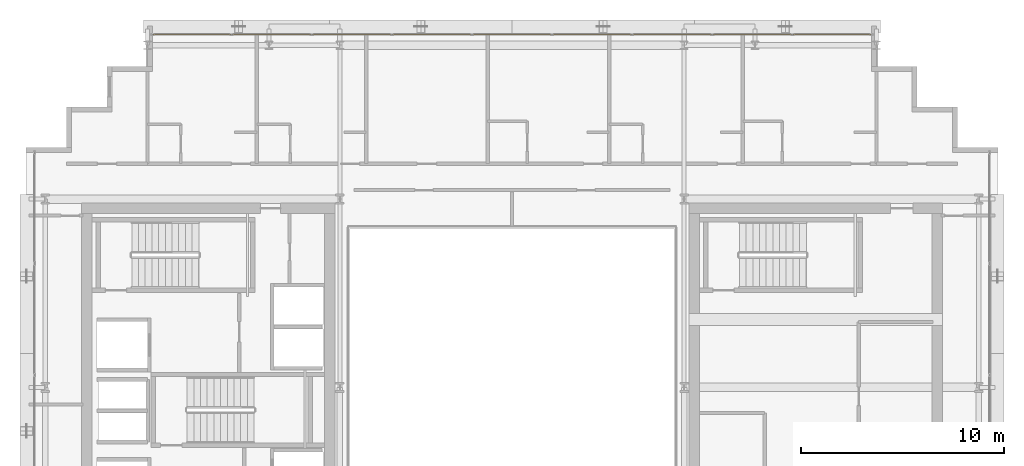
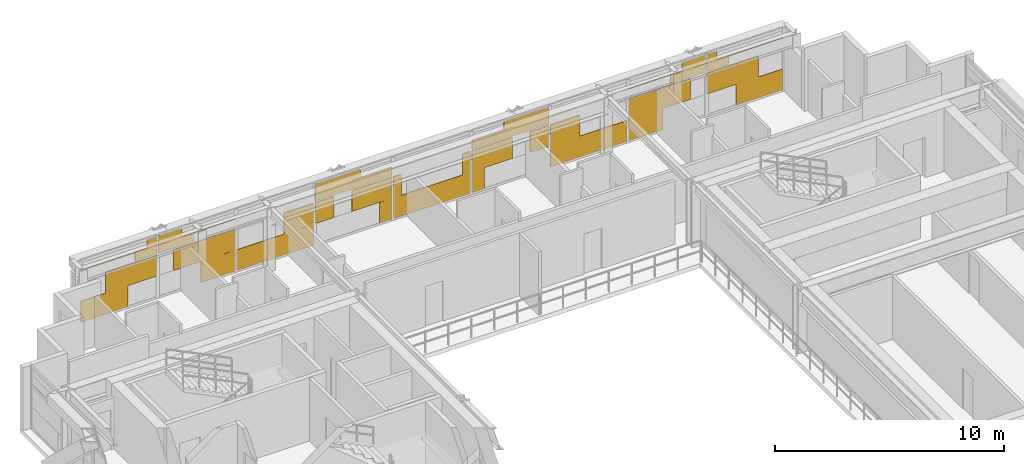
# One storey, part 31 of 31: 1 covering.
"""IFC4 building model written with IfcOpenShell, lengths in metres."""

from ifc_helpers import new_model, si_unit, direction, frame, origin, origin_2d, place, context, subcontext, project, spatial, rectangle, extrude, material, layer, layer_set, type_object, element, save


model = new_model("IFC4")

# Units and contexts
model_context = context("Model", 3, precision=1e-05, world=origin(), true_north=direction((0.0, 1.0)))
body_context = subcontext(model_context, "Body", "Model", "MODEL_VIEW")
ifc_project = project(units=[si_unit("LENGTHUNIT", "METRE"), si_unit("AREAUNIT", "SQUARE_METRE"), si_unit("VOLUMEUNIT", "CUBIC_METRE"), si_unit("PLANEANGLEUNIT", "RADIAN"), si_unit("MASSUNIT", "GRAM", prefix="KILO")], contexts=[model_context])

# Site, building, storey
site_placement = place(None, origin())
site = spatial("IfcSite", under=ifc_project, at=site_placement, CompositionType="ELEMENT")
building_placement = place(site_placement, origin())
building = spatial("IfcBuilding", under=site, at=building_placement, Name="Ocotamira Hotel", CompositionType="ELEMENT")
storey_placement = place(building_placement, frame((0.0, 0.0, 202.800048828125)))
storey = spatial("IfcBuildingStorey", under=building, at=storey_placement, Name="L51", CompositionType="ELEMENT", Elevation=202.800048828125)

# Covering
ifc_material = material(Name="Insulated pale-metal aluminium spandrel panel", Category="aluminium")
ifc_layer = layer(ifc_material, 0.044921875)
ifc_layer_set = layer_set([ifc_layer], Name="Insulated pale-metal aluminium spandrel panel")
covering_type = type_object("IfcCoveringType", Name="COV-INFILL-45", PredefinedType="CLADDING", material=ifc_layer_set)
covering_placement = place(storey_placement, origin())
element("IfcCovering", 1, at=covering_placement, inside=storey, type_object=covering_type, Name="L51 Curtain Wall Infill CW-4 CW-L51-N", PredefinedType="CLADDING", context=body_context, shape_type="SweptSolid", body=[
    extrude(rectangle(XDim=2.37158203125, YDim=0.044921875, at=origin_2d()), frame((15.46630859375, 45.580078125, 0.0751953125), z_axis=(0.0, 0.0, 1.0), x_axis=(1.0, 0.0, 0.0)), (0.0, 0.0, 1.0), 1.117919921875),
    extrude(rectangle(XDim=2.58251953125, YDim=0.044921875, at=origin_2d()), frame((16.82373046875, 45.580078125, 1.19384765625), z_axis=(0.0, 0.0, 1.0), x_axis=(1.0, 0.0, 0.0)), (0.0, 0.0, 1.0), 1.117919921875),
    extrude(rectangle(XDim=3.834716796875, YDim=0.044921875, at=origin_2d()), frame((16.19775390625, 45.580078125, 2.83154296875), z_axis=(0.0, 0.0, 1.0), x_axis=(1.0, 0.0, 0.0)), (0.0, 0.0, 1.0), 0.0302734375),
    extrude(rectangle(XDim=1.090576171875, YDim=0.044921875, at=origin_2d()), frame((17.56982421875, 45.580078125, 2.3876953125), z_axis=(0.0, 0.0, 1.0), x_axis=(1.0, 0.0, 0.0)), (0.0, 0.0, 1.0), 0.442626953125),
    extrude(rectangle(XDim=0.496826171875, YDim=0.044921875, at=origin_2d()), frame((17.86669921875, 45.580078125, 2.86279296875), z_axis=(0.0, 0.0, 1.0), x_axis=(1.0, 0.0, 0.0)), (0.0, 0.0, 1.0), 0.431640625),
    extrude(rectangle(XDim=3.12109375, YDim=0.044921875, at=origin_2d()), frame((20.510009765625, 45.580078125, 1.19384765625), z_axis=(0.0, 0.0, 1.0), x_axis=(1.0, 0.0, 0.0)), (0.0, 0.0, 1.0), 1.117919921875),
    extrude(rectangle(XDim=1.72265625, YDim=0.044921875, at=origin_2d()), frame((21.209228515625, 45.580078125, 0.0751953125), z_axis=(0.0, 0.0, 1.0), x_axis=(1.0, 0.0, 0.0)), (0.0, 0.0, 1.0), 1.117919921875),
    extrude(rectangle(XDim=1.779296875, YDim=0.044921875, at=origin_2d()), frame((19.085693359375, 45.580078125, 2.3876953125), z_axis=(0.0, 0.0, 1.0), x_axis=(1.0, 0.0, 0.0)), (0.0, 0.0, 1.0), 0.442626953125),
    extrude(rectangle(XDim=3.87451171875, YDim=0.044921875, at=origin_2d()), frame((20.13330078125, 45.580078125, 2.83154296875), z_axis=(0.0, 0.0, 1.0), x_axis=(1.0, 0.0, 0.0)), (0.0, 0.0, 1.0), 0.0302734375),
    extrude(rectangle(XDim=1.185791015625, YDim=0.044921875, at=origin_2d()), frame((18.7890625, 45.580078125, 2.86279296875), z_axis=(0.0, 0.0, 1.0), x_axis=(1.0, 0.0, 0.0)), (0.0, 0.0, 1.0), 0.431640625),
    extrude(rectangle(XDim=3.87451171875, YDim=0.044921875, at=origin_2d()), frame((24.0888671875, 45.580078125, 0.0751953125), z_axis=(0.0, 0.0, 1.0), x_axis=(1.0, 0.0, 0.0)), (0.0, 0.0, 1.0), 1.117919921875),
    extrude(rectangle(XDim=1.493896484375, YDim=0.044921875, at=origin_2d()), frame((25.279296875, 45.580078125, 1.19384765625), z_axis=(0.0, 0.0, 1.0), x_axis=(1.0, 0.0, 0.0)), (0.0, 0.0, 1.0), 1.117919921875),
    extrude(rectangle(XDim=0.943115234375, YDim=0.044921875, at=origin_2d()), frame((26.578857421875, 45.580078125, 1.19384765625), z_axis=(0.0, 0.0, 1.0), x_axis=(1.0, 0.0, 0.0)), (0.0, 0.0, 1.0), 1.117919921875),
    extrude(rectangle(XDim=2.031982421875, YDim=0.044921875, at=origin_2d()), frame((28.9658203125, 45.580078125, 1.19384765625), z_axis=(0.0, 0.0, 1.0), x_axis=(1.0, 0.0, 0.0)), (0.0, 0.0, 1.0), 1.117919921875),
    extrude(rectangle(XDim=0.6337890625, YDim=0.044921875, at=origin_2d()), frame((29.664794921875, 45.580078125, 0.0751953125), z_axis=(0.0, 0.0, 1.0), x_axis=(1.0, 0.0, 0.0)), (0.0, 0.0, 1.0), 1.117919921875),
    extrude(rectangle(XDim=3.87451171875, YDim=0.044921875, at=origin_2d()), frame((28.04443359375, 45.580078125, 2.3876953125), z_axis=(0.0, 0.0, 1.0), x_axis=(1.0, 0.0, 0.0)), (0.0, 0.0, 1.0), 0.473876953125),
    extrude(rectangle(XDim=2.274658203125, YDim=0.044921875, at=origin_2d()), frame((27.244384765625, 45.580078125, 2.86279296875), z_axis=(0.0, 0.0, 1.0), x_axis=(1.0, 0.0, 0.0)), (0.0, 0.0, 1.0), 0.431640625),
    extrude(rectangle(XDim=3.87451171875, YDim=0.044921875, at=origin_2d()), frame((32.0, 45.580078125, 0.0751953125), z_axis=(0.0, 0.0, 1.0), x_axis=(1.0, 0.0, 0.0)), (0.0, 0.0, 1.0), 1.117919921875),
    extrude(rectangle(XDim=0.40478515625, YDim=0.044921875, at=origin_2d()), frame((30.26513671875, 45.580078125, 1.19384765625), z_axis=(0.0, 0.0, 1.0), x_axis=(1.0, 0.0, 0.0)), (0.0, 0.0, 1.0), 1.117919921875),
    extrude(rectangle(XDim=0.40478515625, YDim=0.044921875, at=origin_2d()), frame((33.73486328125, 45.580078125, 1.19384765625), z_axis=(0.0, 0.0, 1.0), x_axis=(1.0, 0.0, 0.0)), (0.0, 0.0, 1.0), 1.117919921875),
    extrude(rectangle(XDim=0.6337890625, YDim=0.044921875, at=origin_2d()), frame((34.335205078125, 45.580078125, 0.0751953125), z_axis=(0.0, 0.0, 1.0), x_axis=(1.0, 0.0, 0.0)), (0.0, 0.0, 1.0), 1.117919921875),
    extrude(rectangle(XDim=2.031982421875, YDim=0.044921875, at=origin_2d()), frame((35.0341796875, 45.580078125, 1.19384765625), z_axis=(0.0, 0.0, 1.0), x_axis=(1.0, 0.0, 0.0)), (0.0, 0.0, 1.0), 1.117919921875),
    extrude(rectangle(XDim=0.943115234375, YDim=0.044921875, at=origin_2d()), frame((37.421142578125, 45.580078125, 1.19384765625), z_axis=(0.0, 0.0, 1.0), x_axis=(1.0, 0.0, 0.0)), (0.0, 0.0, 1.0), 1.117919921875),
    extrude(rectangle(XDim=3.87451171875, YDim=0.044921875, at=origin_2d()), frame((35.95556640625, 45.580078125, 2.3876953125), z_axis=(0.0, 0.0, 1.0), x_axis=(1.0, 0.0, 0.0)), (0.0, 0.0, 1.0), 0.473876953125),
    extrude(rectangle(XDim=2.274658203125, YDim=0.044921875, at=origin_2d()), frame((36.755615234375, 45.580078125, 2.86279296875), z_axis=(0.0, 0.0, 1.0), x_axis=(1.0, 0.0, 0.0)), (0.0, 0.0, 1.0), 0.431640625),
    extrude(rectangle(XDim=3.87451171875, YDim=0.044921875, at=origin_2d()), frame((39.9111328125, 45.580078125, 0.0751953125), z_axis=(0.0, 0.0, 1.0), x_axis=(1.0, 0.0, 0.0)), (0.0, 0.0, 1.0), 1.117919921875),
    extrude(rectangle(XDim=1.493896484375, YDim=0.044921875, at=origin_2d()), frame((38.720703125, 45.580078125, 1.19384765625), z_axis=(0.0, 0.0, 1.0), x_axis=(1.0, 0.0, 0.0)), (0.0, 0.0, 1.0), 1.117919921875),
    extrude(rectangle(XDim=1.72265625, YDim=0.044921875, at=origin_2d()), frame((42.790771484375, 45.580078125, 0.0751953125), z_axis=(0.0, 0.0, 1.0), x_axis=(1.0, 0.0, 0.0)), (0.0, 0.0, 1.0), 1.117919921875),
    extrude(rectangle(XDim=3.12109375, YDim=0.044921875, at=origin_2d()), frame((43.489990234375, 45.580078125, 1.19384765625), z_axis=(0.0, 0.0, 1.0), x_axis=(1.0, 0.0, 0.0)), (0.0, 0.0, 1.0), 1.117919921875),
    extrude(rectangle(XDim=3.87451171875, YDim=0.044921875, at=origin_2d()), frame((43.86669921875, 45.580078125, 2.83154296875), z_axis=(0.0, 0.0, 1.0), x_axis=(1.0, 0.0, 0.0)), (0.0, 0.0, 1.0), 0.0302734375),
    extrude(rectangle(XDim=1.779296875, YDim=0.044921875, at=origin_2d()), frame((44.914306640625, 45.580078125, 2.3876953125), z_axis=(0.0, 0.0, 1.0), x_axis=(1.0, 0.0, 0.0)), (0.0, 0.0, 1.0), 0.442626953125),
    extrude(rectangle(XDim=1.185791015625, YDim=0.044921875, at=origin_2d()), frame((45.2109375, 45.580078125, 2.86279296875), z_axis=(0.0, 0.0, 1.0), x_axis=(1.0, 0.0, 0.0)), (0.0, 0.0, 1.0), 0.431640625),
    extrude(rectangle(XDim=2.58251953125, YDim=0.044921875, at=origin_2d()), frame((47.17626953125, 45.580078125, 1.19384765625), z_axis=(0.0, 0.0, 1.0), x_axis=(1.0, 0.0, 0.0)), (0.0, 0.0, 1.0), 1.117919921875),
    extrude(rectangle(XDim=2.37158203125, YDim=0.044921875, at=origin_2d()), frame((48.53369140625, 45.580078125, 0.0751953125), z_axis=(0.0, 0.0, 1.0), x_axis=(1.0, 0.0, 0.0)), (0.0, 0.0, 1.0), 1.117919921875),
    extrude(rectangle(XDim=1.090576171875, YDim=0.044921875, at=origin_2d()), frame((46.43017578125, 45.580078125, 2.3876953125), z_axis=(0.0, 0.0, 1.0), x_axis=(1.0, 0.0, 0.0)), (0.0, 0.0, 1.0), 0.442626953125),
    extrude(rectangle(XDim=3.834716796875, YDim=0.044921875, at=origin_2d()), frame((47.80224609375, 45.580078125, 2.83154296875), z_axis=(0.0, 0.0, 1.0), x_axis=(1.0, 0.0, 0.0)), (0.0, 0.0, 1.0), 0.0302734375),
    extrude(rectangle(XDim=0.496826171875, YDim=0.044921875, at=origin_2d()), frame((46.13330078125, 45.580078125, 2.86279296875), z_axis=(0.0, 0.0, 1.0), x_axis=(1.0, 0.0, 0.0)), (0.0, 0.0, 1.0), 0.431640625),
])

save(model, "model.ifc")
